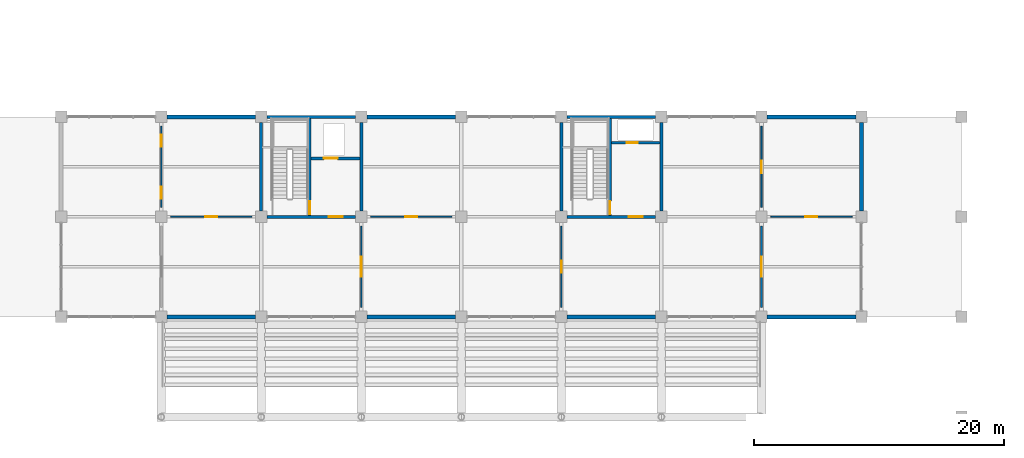
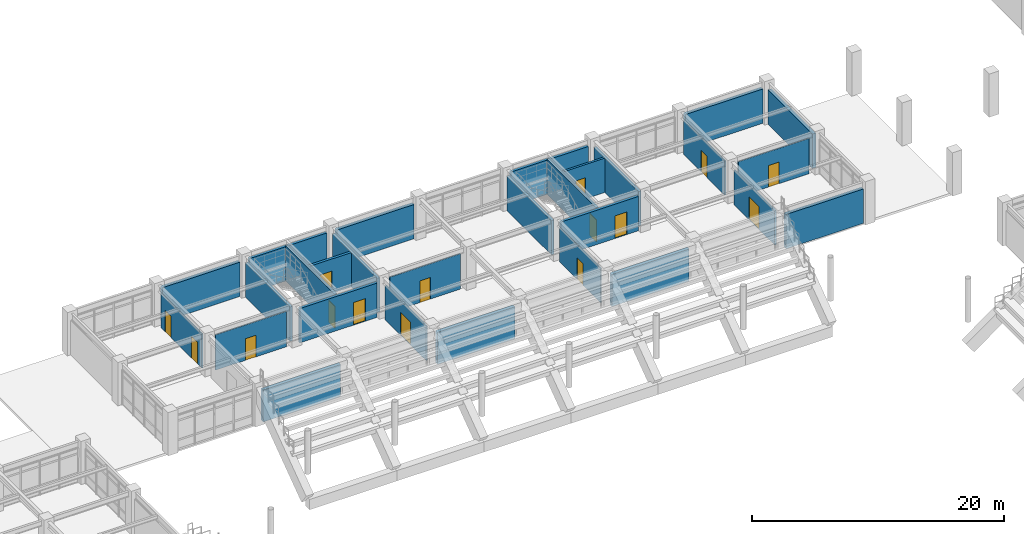
# One storey, part 95 of 118: 28 walls, 15 doors, 15 openings.
"""IFC4 building model written with IfcOpenShell, lengths in metres."""

import ifcopenshell
import ifcopenshell.guid

model = None  # the IFC model being written
_history = None  # IfcOwnerHistory: only IFC2X3 demands one
_inside = {}  # id of a spatial element -> (the spatial element, [elements in it])
_under = {}  # id of a project, library or spatial element -> (it, [spatial elements below it])
_declared = {}  # id of a project -> (the project, [libraries it declares])
_typed = {}  # id of a type object -> (the type object, [elements of that type])
_made_of = {}  # id of a material, layer set ... -> (it, [elements and type objects made of it])


def new_model(schema):
    """Start an empty IFC model of exactly this schema.

    Asked for "IFC4X3", IfcOpenShell would pick the latest addendum, in which some entities
    have other attributes; the version numbers below select the first issue.
    IFC2X3 requires an IfcOwnerHistory on every rooted entity: one is made here for all.
    """
    global model, _history
    if schema == "IFC4X3":
        model = ifcopenshell.file(schema_version=(4, 3, 0, 0))
    else:
        model = ifcopenshell.file(schema=schema)
    _inside.clear()
    _under.clear()
    _declared.clear()
    _typed.clear()
    _made_of.clear()
    _history = None
    if model.schema == "IFC2X3":
        org = make("IfcOrganization", Name="unknown")
        user = make(
            "IfcPersonAndOrganization",
            ThePerson=make("IfcPerson", FamilyName="unknown"),
            TheOrganization=org,
        )
        app = make(
            "IfcApplication",
            ApplicationDeveloper=org,
            Version="unknown",
            ApplicationFullName="unknown",
            ApplicationIdentifier="unknown",
        )
        _history = make(
            "IfcOwnerHistory",
            OwningUser=user,
            OwningApplication=app,
            ChangeAction="ADDED",
            CreationDate=0,
        )
    return model


def make(cls, **values):
    """One entity of the class cls with the attributes given. An attribute that is None is left unset."""
    return model.create_entity(
        cls, **{name: value for name, value in values.items() if value is not None}
    )


def rooted(cls, **values):
    """An entity with a GlobalId (a new one), such as an element, a storey or a relation."""
    return make(cls, GlobalId=ifcopenshell.guid.new(), OwnerHistory=_history, **values)


def si_unit(unit_type, name, prefix=None):
    """IfcSIUnit, for example si_unit("LENGTHUNIT", "METRE", prefix="MILLI")."""
    return make("IfcSIUnit", UnitType=unit_type, Prefix=prefix, Name=name)


def assignment(units):
    """IfcUnitAssignment: the units of a project."""
    return None if units is None else make("IfcUnitAssignment", Units=units)


def point(xyz):
    """IfcCartesianPoint."""
    return None if xyz is None else make("IfcCartesianPoint", Coordinates=xyz)


def direction(xyz):
    """IfcDirection."""
    return None if xyz is None else make("IfcDirection", DirectionRatios=xyz)


def frame(location, z_axis=None, x_axis=None):
    """IfcAxis2Placement3D, a coordinate frame: its origin and axes. An axis left out is left unset."""
    return make(
        "IfcAxis2Placement3D",
        Location=point(location),
        Axis=direction(z_axis),
        RefDirection=direction(x_axis),
    )


def frame_2d(location, x_axis=None):
    """IfcAxis2Placement2D, a coordinate frame in the plane: its origin and x axis."""
    return make(
        "IfcAxis2Placement2D", Location=point(location), RefDirection=direction(x_axis)
    )


def origin():
    """The frame at (0, 0, 0) with its axes left unset."""
    return frame((0.0, 0.0, 0.0))


def place(relative_to, where):
    """IfcLocalPlacement: puts the frame where relative to a parent placement (None: the world)."""
    return make(
        "IfcLocalPlacement", PlacementRelTo=relative_to, RelativePlacement=where
    )


def context(
    kind, dimensions, precision=None, world=None, true_north=None, identifier=None
):
    """IfcGeometricRepresentationContext, for example the 3D "Model" context."""
    return make(
        "IfcGeometricRepresentationContext",
        ContextIdentifier=identifier,
        ContextType=kind,
        CoordinateSpaceDimension=dimensions,
        Precision=precision,
        WorldCoordinateSystem=world,
        TrueNorth=true_north,
    )


def subcontext(parent, identifier, kind, view, scale=None):
    """IfcGeometricRepresentationSubContext, for example "Body" below "Model"."""
    return make(
        "IfcGeometricRepresentationSubContext",
        ContextIdentifier=identifier,
        ContextType=kind,
        ParentContext=parent,
        TargetScale=scale,
        TargetView=view,
    )


def project(units=None, contexts=None):
    """IfcProject with its units and contexts."""
    return rooted(
        "IfcProject",
        Name="project",
        RepresentationContexts=contexts,
        UnitsInContext=assignment(units),
    )


def spatial(cls, under=None, at=None, **own):
    """A site, building, storey or space (cls), placed at a placement, below another one or the project."""
    s = rooted(cls, ObjectPlacement=at, **own)
    if under is not None:
        _under.setdefault(under.id(), (under, []))[1].append(s)
    return s


def profile(cls, at=None, kind="AREA", **sizes):
    """A parametric profile (cls). Its sizes go by their IFC names, for example OverallWidth=200.0."""
    return make(cls, ProfileType=kind, Position=at, **sizes)


def rectangle(**sizes):
    """IfcRectangleProfileDef."""
    return profile("IfcRectangleProfileDef", **sizes)


def extrude(swept, where, along, depth):
    """IfcExtrudedAreaSolid: the profile swept, set in the frame where, extruded along a direction by depth."""
    return make(
        "IfcExtrudedAreaSolid",
        SweptArea=swept,
        Position=where,
        ExtrudedDirection=direction(along),
        Depth=depth,
    )


def shape(context_of_items, identifier, shape_type, items):
    """IfcShapeRepresentation: the items that make up one representation, for example the "Body"."""
    return make(
        "IfcShapeRepresentation",
        ContextOfItems=context_of_items,
        RepresentationIdentifier=identifier,
        RepresentationType=shape_type,
        Items=items,
    )


def material(Name=None, Category=None):
    """IfcMaterial."""
    return make("IfcMaterial", Name=Name, Category=Category)


def layer(
    of_material, thickness, ventilated=None, Name=None, Category=None, Priority=None
):
    """IfcMaterialLayer: one layer of a wall or slab, of a material (None: an air gap)."""
    return make(
        "IfcMaterialLayer",
        Material=of_material,
        LayerThickness=thickness,
        IsVentilated=ventilated,
        Name=Name,
        Category=Category,
        Priority=Priority,
    )


def layer_set(layers, Name=None):
    """IfcMaterialLayerSet."""
    return make("IfcMaterialLayerSet", MaterialLayers=layers, LayerSetName=Name)


def made_of(thing, what):
    """Note that an element or type object is made of a material, layer set ...; save() writes the relation."""
    if what is not None:
        _made_of.setdefault(what.id(), (what, []))[1].append(thing)
    return thing


def type_object(cls, material=None, **own):
    """A type object (cls), such as IfcWallType, which elements share."""
    return made_of(rooted(cls, **own), material)


def element(
    cls,
    number,
    at=None,
    inside=None,
    cuts=None,
    type_object=None,
    material=None,
    context=None,
    identifier="Body",
    shape_type=None,
    held_by="IfcProductDefinitionShape",
    body=None,
    shapes=None,
    **own,
):
    """One element of the class cls, such as IfcWall. Its Tag is "e" and its number.

    at: its placement. inside: the storey or other place that contains it. cuts: it is an
    opening in that element (IfcRelVoidsElement). A single representation is given by context,
    identifier, shape_type and body (its items); several are given by shapes. held_by: the class
    of the entity that holds the representations. save() writes the other relations.
    """
    e = rooted(cls, Tag="e%d" % number, ObjectPlacement=at, **own)
    if body is not None:
        shapes = [shape(context, identifier, shape_type, body)]
    if shapes is not None:
        e.Representation = make(held_by, Representations=shapes)
    if inside is not None:
        _inside.setdefault(inside.id(), (inside, []))[1].append(e)
    if cuts is not None:
        rooted(
            "IfcRelVoidsElement", RelatingBuildingElement=cuts, RelatedOpeningElement=e
        )
    if type_object is not None:
        _typed.setdefault(type_object.id(), (type_object, []))[1].append(e)
    return made_of(e, material)


def fill(opening, filler):
    """IfcRelFillsElement: the door or window that sits in an opening."""
    return rooted(
        "IfcRelFillsElement",
        RelatingOpeningElement=opening,
        RelatedBuildingElement=filler,
    )


def aggregate(whole, parts):
    """IfcRelAggregates: a whole, such as a stair, and the parts it consists of."""
    return rooted("IfcRelAggregates", RelatingObject=whole, RelatedObjects=parts)


def save(model, path):
    """Write the relations noted so far, then the file.

    IfcRelAggregates (storeys below a building ...), IfcRelContainedInSpatialStructure (elements
    in a storey), IfcRelDefinesByType, IfcRelAssociatesMaterial and IfcRelDeclares: one each for
    every whole, place, type object, material and project.
    """
    for whole, parts in _under.values():
        aggregate(whole, parts)
    for where, things in _inside.values():
        rooted(
            "IfcRelContainedInSpatialStructure",
            RelatedElements=things,
            RelatingStructure=where,
        )
    for kind, things in _typed.values():
        rooted("IfcRelDefinesByType", RelatedObjects=things, RelatingType=kind)
    for what, things in _made_of.values():
        rooted("IfcRelAssociatesMaterial", RelatedObjects=things, RelatingMaterial=what)
    for by, libraries in _declared.values():
        rooted("IfcRelDeclares", RelatingContext=by, RelatedDefinitions=libraries)
    model.write(path)


model = new_model("IFC4")

# Units and contexts
model_context = context("Model", 3, precision=1e-05, world=origin(), true_north=direction((0.0, 1.0)))
body_context = subcontext(model_context, "Body", "Model", "MODEL_VIEW")
ifc_project = project(units=[si_unit("LENGTHUNIT", "METRE"), si_unit("AREAUNIT", "SQUARE_METRE"), si_unit("VOLUMEUNIT", "CUBIC_METRE"), si_unit("PLANEANGLEUNIT", "RADIAN"), si_unit("MASSUNIT", "GRAM", prefix="KILO")], contexts=[model_context])

# Site, building, storey
site_placement = place(None, origin())
site = spatial("IfcSite", under=ifc_project, at=site_placement, CompositionType="ELEMENT")
building_placement = place(site_placement, origin())
building = spatial("IfcBuilding", under=site, at=building_placement, Name="Haebicheon Civic Stadium", CompositionType="ELEMENT")
storey_placement = place(building_placement, frame((0.0, 0.0, 14.39990234375)))
storey = spatial("IfcBuildingStorey", under=building, at=storey_placement, Name="L04", CompositionType="ELEMENT", Elevation=14.39990234375)

# Wall, opening, door
ifc_material_1 = material(Name="Concrete C40/50", Category="concrete")
ifc_layer_1 = layer(ifc_material_1, 0.239990234375, Name="Concrete C40/50")
ifc_layer_set_1 = layer_set([ifc_layer_1], Name="Concrete C40/50")
wall_type_1 = type_object("IfcWallType", Name="CW-SHR-240", PredefinedType="SHEAR", material=ifc_layer_set_1)
wall_1_placement = place(storey_placement, frame((88.449951171875, 160.0, 0.0), z_axis=(0.0, 0.0, 1.0), x_axis=(1.0, 0.0, 0.0)))
wall_1 = element("IfcWall", 1, at=wall_1_placement, inside=storey, type_object=wall_type_1, material=ifc_layer_set_1, Name="KC-08 L04 south core shear wall", PredefinedType="SHEAR", context=body_context, shape_type="SweptSolid", body=[
    extrude(rectangle(XDim=7.10009765625, YDim=0.239990234375, at=frame_2d((3.550048828125, 0.0))), origin(), (0.0, 0.0, 1.0), 3.330078125),
])
opening_1_placement = place(wall_1_placement, frame((4.949951171875, 0.0, 0.0)))
opening_1 = element("IfcOpeningElement", 2, at=opening_1_placement, cuts=wall_1, Name="Opening D-L04-KC-08-LOB", PredefinedType="OPENING", context=body_context, shape_type="SweptSolid", body=[
    extrude(rectangle(XDim=1.10009765625, YDim=2.199951171875, at=frame_2d((0.550048828125, 1.10009765625))), frame((0.0, 0.1298828125, 0.0), z_axis=(0.0, -1.0, 0.0), x_axis=(1.0, 0.0, 0.0)), (0.0, 0.0, 1.0), 0.260009765625),
])
ifc_material_2 = material(Name="Galvanised painted steel SM355", Category="steel")
door_type_1 = type_object("IfcDoorType", Name="ID-FD-1100", OperationType="NOTDEFINED", PredefinedType="DOOR", material=ifc_material_2)
door_1_placement = place(opening_1_placement, origin())
door_1 = element("IfcDoor", 3, at=door_1_placement, inside=storey, type_object=door_type_1, material=ifc_material_2, Name="L04 KC-08 lobby fire door", OperationType="SINGLE_SWING_LEFT", OverallHeight=2.199951171875, OverallWidth=1.10009765625, PredefinedType="DOOR", context=body_context, shape_type="SweptSolid", body=[
    extrude(rectangle(XDim=1.10009765625, YDim=2.199951171875, at=frame_2d((0.550048828125, 1.10009765625))), frame((0.0, 0.02490234375, 0.0), z_axis=(0.0, -1.0, 0.0), x_axis=(1.0, 0.0, 0.0)), (0.0, 0.0, 1.0), 0.050048828125),
])
fill(opening_1, door_1)

# Walls
for number, where, z_axis, x_axis, name in (
    (4, (88.449951171875, 168.0, 0.0), (0.0, 0.0, 1.0), (1.0, 0.0, 0.0), "KC-08 L04 north core shear wall"),
    (5, (88.0, 160.449951171875, 0.0), (0.0, 0.0, 1.0), (0.0, 1.0, 0.0), "KC-08 L04 west core shear wall"),
    (6, (96.0, 160.449951171875, 0.0), (0.0, 0.0, 1.0), (0.0, 1.0, 0.0), "KC-08 L04 east core shear wall"),
):
    element("IfcWall", number, at=place(storey_placement, frame(where, z_axis=z_axis, x_axis=x_axis)), inside=storey, type_object=wall_type_1, material=ifc_layer_set_1, Name=name, PredefinedType="SHEAR", context=body_context, shape_type="SweptSolid", body=[
        extrude(rectangle(XDim=7.10009765625, YDim=0.239990234375, at=frame_2d((3.550048828125, 0.0))), origin(), (0.0, 0.0, 1.0), 3.330078125),
    ])

# Wall, opening, door
wall_2_placement = place(storey_placement, frame((91.8798828125, 160.1201171875, 0.0), z_axis=(0.0, 0.0, 1.0), x_axis=(0.0, 1.0, 0.0)))
wall_2 = element("IfcWall", 7, at=wall_2_placement, inside=storey, type_object=wall_type_1, material=ifc_layer_set_1, Name="KC-08 L04 stair-lobby dividing shear wall", PredefinedType="SHEAR", context=body_context, shape_type="SweptSolid", body=[
    extrude(rectangle(XDim=7.759765625, YDim=0.239990234375, at=frame_2d((3.8798828125, 0.0))), origin(), (0.0, 0.0, 1.0), 3.43017578125),
])
opening_2_placement = place(wall_2_placement, frame((0.080078125, 0.0, 0.0)))
opening_2 = element("IfcOpeningElement", 8, at=opening_2_placement, cuts=wall_2, Name="Opening D-L04-KC-08-STR", PredefinedType="OPENING", context=body_context, shape_type="SweptSolid", body=[
    extrude(rectangle(XDim=1.050048828125, YDim=2.14990234375, at=frame_2d((0.52490234375, 1.074951171875))), frame((0.0, 0.1298828125, 0.0), z_axis=(0.0, -1.0, 0.0), x_axis=(1.0, 0.0, 0.0)), (0.0, 0.0, 1.0), 0.260009765625),
])
ifc_material_3 = material(Name="Galvanised painted steel SM355", Category="steel")
door_type_2 = type_object("IfcDoorType", Name="ID-FD-1050", OperationType="NOTDEFINED", PredefinedType="DOOR", material=ifc_material_3)
door_2_placement = place(opening_2_placement, origin())
door_2 = element("IfcDoor", 9, at=door_2_placement, inside=storey, type_object=door_type_2, material=ifc_material_3, Name="L04 ST-08 stairwell escape door", OperationType="SINGLE_SWING_RIGHT", OverallHeight=2.14990234375, OverallWidth=1.050048828125, PredefinedType="DOOR", context=body_context, shape_type="SweptSolid", body=[
    extrude(rectangle(XDim=1.050048828125, YDim=2.14990234375, at=frame_2d((0.52490234375, 1.074951171875))), frame((0.0, 0.02490234375, 0.0), z_axis=(0.0, -1.0, 0.0), x_axis=(1.0, 0.0, 0.0)), (0.0, 0.0, 1.0), 0.050048828125),
])
fill(opening_2, door_2)

wall_3_placement = place(storey_placement, frame((92.0, 164.679931640625, 0.0), z_axis=(0.0, 0.0, 1.0), x_axis=(1.0, 0.0, 0.0)))
wall_3 = element("IfcWall", 10, at=wall_3_placement, inside=storey, type_object=wall_type_1, material=ifc_layer_set_1, Name="KC-08 L04 lift shaft front wall", PredefinedType="SHEAR", context=body_context, shape_type="SweptSolid", body=[
    extrude(rectangle(XDim=3.8798828125, YDim=0.239990234375, at=frame_2d((1.93994140625, 0.0))), origin(), (0.0, 0.0, 1.0), 3.330078125),
])
opening_3_placement = place(wall_3_placement, frame((1.0, 0.0, 0.0)))
opening_3 = element("IfcOpeningElement", 11, at=opening_3_placement, cuts=wall_3, Name="Opening LD-06-L04", PredefinedType="OPENING", context=body_context, shape_type="SweptSolid", body=[
    extrude(rectangle(XDim=1.10009765625, YDim=2.14990234375, at=frame_2d((0.550048828125, 1.074951171875))), frame((0.0, 0.1298828125, 0.0), z_axis=(0.0, -1.0, 0.0), x_axis=(1.0, 0.0, 0.0)), (0.0, 0.0, 1.0), 0.260009765625),
])
ifc_material_4 = material(Name="Stainless steel 316", Category="steel")
door_type_3 = type_object("IfcDoorType", Name="ID-LD-1100", OperationType="NOTDEFINED", PredefinedType="DOOR", material=ifc_material_4)
door_3_placement = place(opening_3_placement, origin())
door_3 = element("IfcDoor", 12, at=door_3_placement, inside=storey, type_object=door_type_3, material=ifc_material_4, Name="LF-06 lift landing sliding door L04", OperationType="SLIDING_TO_LEFT", OverallHeight=2.14990234375, OverallWidth=1.10009765625, PredefinedType="DOOR", context=body_context, shape_type="SweptSolid", body=[
    extrude(rectangle(XDim=1.10009765625, YDim=2.14990234375, at=frame_2d((0.550048828125, 1.074951171875))), frame((0.0, 0.02490234375, 0.0), z_axis=(0.0, -1.0, 0.0), x_axis=(1.0, 0.0, 0.0)), (0.0, 0.0, 1.0), 0.050048828125),
])
fill(opening_3, door_3)

wall_4_placement = place(storey_placement, frame((112.449951171875, 160.0, 0.0), z_axis=(0.0, 0.0, 1.0), x_axis=(1.0, 0.0, 0.0)))
wall_4 = element("IfcWall", 13, at=wall_4_placement, inside=storey, type_object=wall_type_1, material=ifc_layer_set_1, Name="KC-09 L04 south core shear wall", PredefinedType="SHEAR", context=body_context, shape_type="SweptSolid", body=[
    extrude(rectangle(XDim=7.10009765625, YDim=0.239990234375, at=frame_2d((3.550048828125, 0.0))), origin(), (0.0, 0.0, 1.0), 3.330078125),
])
opening_4_placement = place(wall_4_placement, frame((4.949951171875, 0.0, 0.0)))
opening_4 = element("IfcOpeningElement", 14, at=opening_4_placement, cuts=wall_4, Name="Opening D-L04-KC-09-LOB", PredefinedType="OPENING", context=body_context, shape_type="SweptSolid", body=[
    extrude(rectangle(XDim=1.10009765625, YDim=2.199951171875, at=frame_2d((0.550048828125, 1.10009765625))), frame((0.0, 0.1298828125, 0.0), z_axis=(0.0, -1.0, 0.0), x_axis=(1.0, 0.0, 0.0)), (0.0, 0.0, 1.0), 0.260009765625),
])
door_4_placement = place(opening_4_placement, origin())
door_4 = element("IfcDoor", 15, at=door_4_placement, inside=storey, type_object=door_type_1, material=ifc_material_2, Name="L04 KC-09 lobby fire door", OperationType="SINGLE_SWING_RIGHT", OverallHeight=2.199951171875, OverallWidth=1.10009765625, PredefinedType="DOOR", context=body_context, shape_type="SweptSolid", body=[
    extrude(rectangle(XDim=1.10009765625, YDim=2.199951171875, at=frame_2d((0.550048828125, 1.10009765625))), frame((0.0, 0.02490234375, 0.0), z_axis=(0.0, -1.0, 0.0), x_axis=(1.0, 0.0, 0.0)), (0.0, 0.0, 1.0), 0.050048828125),
])
fill(opening_4, door_4)

# Walls
for number, where, z_axis, x_axis, name in (
    (16, (112.449951171875, 168.0, 0.0), (0.0, 0.0, 1.0), (1.0, 0.0, 0.0), "KC-09 L04 north core shear wall"),
    (17, (112.0, 160.449951171875, 0.0), (0.0, 0.0, 1.0), (0.0, 1.0, 0.0), "KC-09 L04 west core shear wall"),
    (18, (120.0, 160.449951171875, 0.0), (0.0, 0.0, 1.0), (0.0, 1.0, 0.0), "KC-09 L04 east core shear wall"),
):
    element("IfcWall", number, at=place(storey_placement, frame(where, z_axis=z_axis, x_axis=x_axis)), inside=storey, type_object=wall_type_1, material=ifc_layer_set_1, Name=name, PredefinedType="SHEAR", context=body_context, shape_type="SweptSolid", body=[
        extrude(rectangle(XDim=7.10009765625, YDim=0.239990234375, at=frame_2d((3.550048828125, 0.0))), origin(), (0.0, 0.0, 1.0), 3.330078125),
    ])

# Wall, opening, door
wall_5_placement = place(storey_placement, frame((115.8798828125, 160.1201171875, 0.0), z_axis=(0.0, 0.0, 1.0), x_axis=(0.0, 1.0, 0.0)))
wall_5 = element("IfcWall", 19, at=wall_5_placement, inside=storey, type_object=wall_type_1, material=ifc_layer_set_1, Name="KC-09 L04 stair-lobby dividing shear wall", PredefinedType="SHEAR", context=body_context, shape_type="SweptSolid", body=[
    extrude(rectangle(XDim=7.759765625, YDim=0.239990234375, at=frame_2d((3.8798828125, 0.0))), origin(), (0.0, 0.0, 1.0), 3.43017578125),
])
opening_5_placement = place(wall_5_placement, frame((0.080078125, 0.0, 0.0)))
opening_5 = element("IfcOpeningElement", 20, at=opening_5_placement, cuts=wall_5, Name="Opening D-L04-KC-09-STR", PredefinedType="OPENING", context=body_context, shape_type="SweptSolid", body=[
    extrude(rectangle(XDim=1.050048828125, YDim=2.14990234375, at=frame_2d((0.52490234375, 1.074951171875))), frame((0.0, 0.1298828125, 0.0), z_axis=(0.0, -1.0, 0.0), x_axis=(1.0, 0.0, 0.0)), (0.0, 0.0, 1.0), 0.260009765625),
])
door_5_placement = place(opening_5_placement, origin())
door_5 = element("IfcDoor", 21, at=door_5_placement, inside=storey, type_object=door_type_2, material=ifc_material_3, Name="L04 ST-09 stairwell escape door", OperationType="SINGLE_SWING_LEFT", OverallHeight=2.14990234375, OverallWidth=1.050048828125, PredefinedType="DOOR", context=body_context, shape_type="SweptSolid", body=[
    extrude(rectangle(XDim=1.050048828125, YDim=2.14990234375, at=frame_2d((0.52490234375, 1.074951171875))), frame((0.0, 0.02490234375, 0.0), z_axis=(0.0, -1.0, 0.0), x_axis=(1.0, 0.0, 0.0)), (0.0, 0.0, 1.0), 0.050048828125),
])
fill(opening_5, door_5)

# Walls
ifc_material_5 = material(Name="Precast concrete C40/50", Category="concrete")
ifc_layer_2 = layer(ifc_material_5, 0.320068359375, Name="Precast concrete C40/50")
ifc_layer_set_2 = layer_set([ifc_layer_2], Name="Precast concrete C40/50")
wall_type_2 = type_object("IfcWallType", Name="EW-BM-320", PredefinedType="SOLIDWALL", material=ifc_layer_set_2)
wall_6_placement = place(storey_placement, frame((80.449951171875, 152.0, 0.0), z_axis=(0.0, 0.0, 1.0), x_axis=(1.0, 0.0, 0.0)))
element("IfcWall", 22, at=wall_6_placement, inside=storey, type_object=wall_type_2, material=ifc_layer_set_2, Name="L04 board-marked concrete facade wall 10-19-S", PredefinedType="SOLIDWALL", context=body_context, shape_type="SweptSolid", body=[
    extrude(rectangle(XDim=7.10009765625, YDim=0.320068359375, at=frame_2d((3.550048828125, 0.0))), origin(), (0.0, 0.0, 1.0), 3.10009765625),
])
wall_7_placement = place(storey_placement, frame((80.449951171875, 168.0, 0.0), z_axis=(0.0, 0.0, 1.0), x_axis=(1.0, 0.0, 0.0)))
element("IfcWall", 23, at=wall_7_placement, inside=storey, type_object=wall_type_2, material=ifc_layer_set_2, Name="L04 board-marked concrete facade wall 10-21-N", PredefinedType="SOLIDWALL", context=body_context, shape_type="SweptSolid", body=[
    extrude(rectangle(XDim=7.10009765625, YDim=0.320068359375, at=frame_2d((3.550048828125, 0.0))), origin(), (0.0, 0.0, 1.0), 3.330078125),
])
wall_8_placement = place(storey_placement, frame((96.449951171875, 152.0, 0.0), z_axis=(0.0, 0.0, 1.0), x_axis=(1.0, 0.0, 0.0)))
element("IfcWall", 24, at=wall_8_placement, inside=storey, type_object=wall_type_2, material=ifc_layer_set_2, Name="L04 board-marked concrete facade wall 12-19-S", PredefinedType="SOLIDWALL", context=body_context, shape_type="SweptSolid", body=[
    extrude(rectangle(XDim=7.10009765625, YDim=0.320068359375, at=frame_2d((3.550048828125, 0.0))), origin(), (0.0, 0.0, 1.0), 3.10009765625),
])
wall_9_placement = place(storey_placement, frame((96.449951171875, 168.0, 0.0), z_axis=(0.0, 0.0, 1.0), x_axis=(1.0, 0.0, 0.0)))
element("IfcWall", 25, at=wall_9_placement, inside=storey, type_object=wall_type_2, material=ifc_layer_set_2, Name="L04 board-marked concrete facade wall 12-21-N", PredefinedType="SOLIDWALL", context=body_context, shape_type="SweptSolid", body=[
    extrude(rectangle(XDim=7.10009765625, YDim=0.320068359375, at=frame_2d((3.550048828125, 0.0))), origin(), (0.0, 0.0, 1.0), 3.330078125),
])
wall_10_placement = place(storey_placement, frame((112.449951171875, 152.0, 0.0), z_axis=(0.0, 0.0, 1.0), x_axis=(1.0, 0.0, 0.0)))
element("IfcWall", 26, at=wall_10_placement, inside=storey, type_object=wall_type_2, material=ifc_layer_set_2, Name="L04 board-marked concrete facade wall 14-19-S", PredefinedType="SOLIDWALL", context=body_context, shape_type="SweptSolid", body=[
    extrude(rectangle(XDim=7.10009765625, YDim=0.320068359375, at=frame_2d((3.550048828125, 0.0))), origin(), (0.0, 0.0, 1.0), 3.10009765625),
])
for number, where, z_axis, x_axis, name in (
    (27, (128.449951171875, 152.0, 0.0), (0.0, 0.0, 1.0), (1.0, 0.0, 0.0), "L04 board-marked concrete facade wall 16-19-S"),
    (28, (128.449951171875, 168.0, 0.0), (0.0, 0.0, 1.0), (1.0, 0.0, 0.0), "L04 board-marked concrete facade wall 16-21-N"),
    (29, (136.0, 160.449951171875, 0.0), (0.0, 0.0, 1.0), (0.0, 1.0, 0.0), "L04 board-marked concrete facade wall 17-20-E"),
):
    element("IfcWall", number, at=place(storey_placement, frame(where, z_axis=z_axis, x_axis=x_axis)), inside=storey, type_object=wall_type_2, material=ifc_layer_set_2, Name=name, PredefinedType="SOLIDWALL", context=body_context, shape_type="SweptSolid", body=[
        extrude(rectangle(XDim=7.10009765625, YDim=0.320068359375, at=frame_2d((3.550048828125, 0.0))), origin(), (0.0, 0.0, 1.0), 3.330078125),
    ])

# Wall, opening, door
ifc_material_6 = material(Name="Concrete C35/45", Category="concrete")
ifc_layer_3 = layer(ifc_material_6, 0.199951171875, Name="Concrete C35/45")
ifc_layer_set_3 = layer_set([ifc_layer_3], Name="Concrete C35/45")
wall_type_3 = type_object("IfcWallType", Name="IW-FIR-200", PredefinedType="PARTITIONING", material=ifc_layer_set_3)
wall_11_placement = place(storey_placement, frame((116.0, 165.919921875, 0.0), z_axis=(0.0, 0.0, 1.0), x_axis=(1.0, 0.0, 0.0)))
wall_11 = element("IfcWall", 30, at=wall_11_placement, inside=storey, type_object=wall_type_3, material=ifc_layer_set_3, Name="KC-09 L04 service riser wall", PredefinedType="PARTITIONING", context=body_context, shape_type="SweptSolid", body=[
    extrude(rectangle(XDim=3.8798828125, YDim=0.199951171875, at=frame_2d((1.93994140625, 0.0))), origin(), (0.0, 0.0, 1.0), 3.330078125),
])
opening_6_placement = place(wall_11_placement, frame((1.25, 0.0, 0.0)))
opening_6 = element("IfcOpeningElement", 31, at=opening_6_placement, cuts=wall_11, Name="Opening D-L04-KC-09-RSR", PredefinedType="OPENING", context=body_context, shape_type="SweptSolid", body=[
    extrude(rectangle(XDim=0.85009765625, YDim=2.050048828125, at=frame_2d((0.425048828125, 1.02490234375))), frame((0.0, 0.10986328125, 0.0), z_axis=(0.0, -1.0, 0.0), x_axis=(1.0, 0.0, 0.0)), (0.0, 0.0, 1.0), 0.219970703125),
])
ifc_material_7 = material(Name="Galvanised painted steel SM355", Category="steel")
door_type_4 = type_object("IfcDoorType", Name="ID-RSR-0850", OperationType="NOTDEFINED", PredefinedType="TRAPDOOR", material=ifc_material_7)
door_6_placement = place(opening_6_placement, origin())
door_6 = element("IfcDoor", 32, at=door_6_placement, inside=storey, type_object=door_type_4, material=ifc_material_7, Name="L04 KC-09 riser access door", OperationType="SINGLE_SWING_RIGHT", OverallHeight=2.050048828125, OverallWidth=0.85009765625, PredefinedType="TRAPDOOR", context=body_context, shape_type="SweptSolid", body=[
    extrude(rectangle(XDim=0.85009765625, YDim=2.050048828125, at=frame_2d((0.425048828125, 1.02490234375))), frame((0.0, 0.02490234375, 0.0), z_axis=(0.0, -1.0, 0.0), x_axis=(1.0, 0.0, 0.0)), (0.0, 0.0, 1.0), 0.050048828125),
])
fill(opening_6, door_6)

# Wall, openings, doors
ifc_material_8 = material(Name="Anodised aluminium and laminated glass", Category="aluminium")
ifc_layer_4 = layer(ifc_material_8, 0.10009765625, Name="Anodised aluminium and laminated glass")
ifc_layer_set_4 = layer_set([ifc_layer_4], Name="Anodised aluminium and laminated glass")
wall_type_4 = type_object("IfcWallType", Name="IW-PRT-100", PredefinedType="PARTITIONING", material=ifc_layer_set_4)
wall_12_placement = place(storey_placement, frame((80.0, 160.75, 0.0), z_axis=(0.0, 0.0, 1.0), x_axis=(0.0, 1.0, 0.0)))
wall_12 = element("IfcWall", 33, at=wall_12_placement, inside=storey, type_object=wall_type_4, material=ifc_layer_set_4, Name="L04 Hospitality Service Pantry partition wall", PredefinedType="PARTITIONING", context=body_context, shape_type="SweptSolid", body=[
    extrude(rectangle(XDim=6.5, YDim=0.10009765625, at=frame_2d((3.25, 0.0))), origin(), (0.0, 0.0, 1.0), 3.330078125),
])
opening_7_placement = place(wall_12_placement, frame((0.699951171875, 0.0, 0.0)))
opening_7 = element("IfcOpeningElement", 34, at=opening_7_placement, cuts=wall_12, Name="Opening D-L04-377", PredefinedType="OPENING", context=body_context, shape_type="SweptSolid", body=[
    extrude(rectangle(XDim=0.949951171875, YDim=2.10009765625, at=frame_2d((0.47509765625, 1.050048828125))), frame((0.0, 0.06005859375, 0.0), z_axis=(0.0, -1.0, 0.0), x_axis=(1.0, 0.0, 0.0)), (0.0, 0.0, 1.0), 0.1201171875),
])
opening_8_placement = place(wall_12_placement, frame((4.85009765625, 0.0, 0.0)))
opening_8 = element("IfcOpeningElement", 35, at=opening_8_placement, cuts=wall_12, Name="Opening D-L04-380", PredefinedType="OPENING", context=body_context, shape_type="SweptSolid", body=[
    extrude(rectangle(XDim=0.949951171875, YDim=2.10009765625, at=frame_2d((0.47509765625, 1.050048828125))), frame((0.0, 0.06005859375, 0.0), z_axis=(0.0, -1.0, 0.0), x_axis=(1.0, 0.0, 0.0)), (0.0, 0.0, 1.0), 0.1201171875),
])
ifc_material_9 = material(Name="Engineered hardwood timber", Category="wood")
door_type_5 = type_object("IfcDoorType", Name="ID-RM-0950", OperationType="NOTDEFINED", PredefinedType="DOOR", material=ifc_material_9)
door_7_placement = place(opening_7_placement, origin())
door_7 = element("IfcDoor", 36, at=door_7_placement, inside=storey, type_object=door_type_5, material=ifc_material_9, Name="L04 Hospitality Service Pantry entrance door D-L04-377", OperationType="SINGLE_SWING_LEFT", OverallHeight=2.10009765625, OverallWidth=0.949951171875, PredefinedType="DOOR", context=body_context, shape_type="SweptSolid", body=[
    extrude(rectangle(XDim=0.949951171875, YDim=2.10009765625, at=frame_2d((0.47509765625, 1.050048828125))), frame((0.0, 0.02490234375, 0.0), z_axis=(0.0, -1.0, 0.0), x_axis=(1.0, 0.0, 0.0)), (0.0, 0.0, 1.0), 0.050048828125),
])
fill(opening_7, door_7)
door_8_placement = place(opening_8_placement, origin())
door_8 = element("IfcDoor", 37, at=door_8_placement, inside=storey, type_object=door_type_5, material=ifc_material_9, Name="L04 Hospitality Service Pantry entrance door D-L04-380", OperationType="SINGLE_SWING_RIGHT", OverallHeight=2.10009765625, OverallWidth=0.949951171875, PredefinedType="DOOR", context=body_context, shape_type="SweptSolid", body=[
    extrude(rectangle(XDim=0.949951171875, YDim=2.10009765625, at=frame_2d((0.47509765625, 1.050048828125))), frame((0.0, 0.02490234375, 0.0), z_axis=(0.0, -1.0, 0.0), x_axis=(1.0, 0.0, 0.0)), (0.0, 0.0, 1.0), 0.050048828125),
])
fill(opening_8, door_8)

# Wall, opening, door
wall_13_placement = place(storey_placement, frame((80.75, 160.0, 0.0), z_axis=(0.0, 0.0, 1.0), x_axis=(1.0, 0.0, 0.0)))
wall_13 = element("IfcWall", 38, at=wall_13_placement, inside=storey, type_object=wall_type_4, material=ifc_layer_set_4, Name="L04 East Pitch View Lounge partition wall", PredefinedType="PARTITIONING", context=body_context, shape_type="SweptSolid", body=[
    extrude(rectangle(XDim=6.5, YDim=0.10009765625, at=frame_2d((3.25, 0.0))), origin(), (0.0, 0.0, 1.0), 3.43017578125),
])
opening_9_placement = place(wall_13_placement, frame((2.77490234375, 0.0, 0.0)))
opening_9 = element("IfcOpeningElement", 39, at=opening_9_placement, cuts=wall_13, Name="Opening D-L04-379", PredefinedType="OPENING", context=body_context, shape_type="SweptSolid", body=[
    extrude(rectangle(XDim=0.949951171875, YDim=2.10009765625, at=frame_2d((0.47509765625, 1.050048828125))), frame((0.0, 0.06005859375, 0.0), z_axis=(0.0, -1.0, 0.0), x_axis=(1.0, 0.0, 0.0)), (0.0, 0.0, 1.0), 0.1201171875),
])
door_9_placement = place(opening_9_placement, origin())
door_9 = element("IfcDoor", 40, at=door_9_placement, inside=storey, type_object=door_type_5, material=ifc_material_9, Name="L04 East Pitch View Lounge entrance door D-L04-379", OperationType="SINGLE_SWING_LEFT", OverallHeight=2.10009765625, OverallWidth=0.949951171875, PredefinedType="DOOR", context=body_context, shape_type="SweptSolid", body=[
    extrude(rectangle(XDim=0.949951171875, YDim=2.10009765625, at=frame_2d((0.47509765625, 1.050048828125))), frame((0.0, 0.02490234375, 0.0), z_axis=(0.0, -1.0, 0.0), x_axis=(1.0, 0.0, 0.0)), (0.0, 0.0, 1.0), 0.050048828125),
])
fill(opening_9, door_9)

wall_14_placement = place(storey_placement, frame((96.75, 160.0, 0.0), z_axis=(0.0, 0.0, 1.0), x_axis=(1.0, 0.0, 0.0)))
wall_14 = element("IfcWall", 41, at=wall_14_placement, inside=storey, type_object=wall_type_4, material=ifc_layer_set_4, Name="L04 Hospitality Service Pantry partition wall", PredefinedType="PARTITIONING", context=body_context, shape_type="SweptSolid", body=[
    extrude(rectangle(XDim=6.5, YDim=0.10009765625, at=frame_2d((3.25, 0.0))), origin(), (0.0, 0.0, 1.0), 3.43017578125),
])
opening_10_placement = place(wall_14_placement, frame((2.77490234375, 0.0, 0.0)))
opening_10 = element("IfcOpeningElement", 42, at=opening_10_placement, cuts=wall_14, Name="Opening D-L04-383", PredefinedType="OPENING", context=body_context, shape_type="SweptSolid", body=[
    extrude(rectangle(XDim=0.949951171875, YDim=2.10009765625, at=frame_2d((0.47509765625, 1.050048828125))), frame((0.0, 0.06005859375, 0.0), z_axis=(0.0, -1.0, 0.0), x_axis=(1.0, 0.0, 0.0)), (0.0, 0.0, 1.0), 0.1201171875),
])
door_10_placement = place(opening_10_placement, origin())
door_10 = element("IfcDoor", 43, at=door_10_placement, inside=storey, type_object=door_type_5, material=ifc_material_9, Name="L04 Hospitality Service Pantry entrance door D-L04-383", OperationType="SINGLE_SWING_RIGHT", OverallHeight=2.10009765625, OverallWidth=0.949951171875, PredefinedType="DOOR", context=body_context, shape_type="SweptSolid", body=[
    extrude(rectangle(XDim=0.949951171875, YDim=2.10009765625, at=frame_2d((0.47509765625, 1.050048828125))), frame((0.0, 0.02490234375, 0.0), z_axis=(0.0, -1.0, 0.0), x_axis=(1.0, 0.0, 0.0)), (0.0, 0.0, 1.0), 0.050048828125),
])
fill(opening_10, door_10)

wall_15_placement = place(storey_placement, frame((112.0, 152.75, 0.0), z_axis=(0.0, 0.0, 1.0), x_axis=(0.0, 1.0, 0.0)))
wall_15 = element("IfcWall", 44, at=wall_15_placement, inside=storey, type_object=wall_type_4, material=ifc_layer_set_4, Name="L04 East Pitch View Lounge partition wall", PredefinedType="PARTITIONING", context=body_context, shape_type="SweptSolid", body=[
    extrude(rectangle(XDim=6.5, YDim=0.10009765625, at=frame_2d((3.25, 0.0))), origin(), (0.0, 0.0, 1.0), 3.330078125),
])
opening_11_placement = place(wall_15_placement, frame((2.77490234375, 0.0, 0.0)))
opening_11 = element("IfcOpeningElement", 45, at=opening_11_placement, cuts=wall_15, Name="Opening D-L04-385", PredefinedType="OPENING", context=body_context, shape_type="SweptSolid", body=[
    extrude(rectangle(XDim=0.949951171875, YDim=2.10009765625, at=frame_2d((0.47509765625, 1.050048828125))), frame((0.0, 0.06005859375, 0.0), z_axis=(0.0, -1.0, 0.0), x_axis=(1.0, 0.0, 0.0)), (0.0, 0.0, 1.0), 0.1201171875),
])
door_11_placement = place(opening_11_placement, origin())
door_11 = element("IfcDoor", 46, at=door_11_placement, inside=storey, type_object=door_type_5, material=ifc_material_9, Name="L04 East Pitch View Lounge entrance door D-L04-385", OperationType="SINGLE_SWING_RIGHT", OverallHeight=2.10009765625, OverallWidth=0.949951171875, PredefinedType="DOOR", context=body_context, shape_type="SweptSolid", body=[
    extrude(rectangle(XDim=0.949951171875, YDim=2.10009765625, at=frame_2d((0.47509765625, 1.050048828125))), frame((0.0, 0.02490234375, 0.0), z_axis=(0.0, -1.0, 0.0), x_axis=(1.0, 0.0, 0.0)), (0.0, 0.0, 1.0), 0.050048828125),
])
fill(opening_11, door_11)

wall_16_placement = place(storey_placement, frame((128.75, 160.0, 0.0), z_axis=(0.0, 0.0, 1.0), x_axis=(1.0, 0.0, 0.0)))
wall_16 = element("IfcWall", 47, at=wall_16_placement, inside=storey, type_object=wall_type_4, material=ifc_layer_set_4, Name="L04 Hospitality Service Pantry partition wall", PredefinedType="PARTITIONING", context=body_context, shape_type="SweptSolid", body=[
    extrude(rectangle(XDim=6.5, YDim=0.10009765625, at=frame_2d((3.25, 0.0))), origin(), (0.0, 0.0, 1.0), 3.43017578125),
])
opening_12_placement = place(wall_16_placement, frame((2.77490234375, 0.0, 0.0)))
opening_12 = element("IfcOpeningElement", 48, at=opening_12_placement, cuts=wall_16, Name="Opening D-L04-389", PredefinedType="OPENING", context=body_context, shape_type="SweptSolid", body=[
    extrude(rectangle(XDim=0.949951171875, YDim=2.10009765625, at=frame_2d((0.47509765625, 1.050048828125))), frame((0.0, 0.06005859375, 0.0), z_axis=(0.0, -1.0, 0.0), x_axis=(1.0, 0.0, 0.0)), (0.0, 0.0, 1.0), 0.1201171875),
])
door_12_placement = place(opening_12_placement, origin())
door_12 = element("IfcDoor", 49, at=door_12_placement, inside=storey, type_object=door_type_5, material=ifc_material_9, Name="L04 Hospitality Service Pantry entrance door D-L04-389", OperationType="SINGLE_SWING_LEFT", OverallHeight=2.10009765625, OverallWidth=0.949951171875, PredefinedType="DOOR", context=body_context, shape_type="SweptSolid", body=[
    extrude(rectangle(XDim=0.949951171875, YDim=2.10009765625, at=frame_2d((0.47509765625, 1.050048828125))), frame((0.0, 0.02490234375, 0.0), z_axis=(0.0, -1.0, 0.0), x_axis=(1.0, 0.0, 0.0)), (0.0, 0.0, 1.0), 0.050048828125),
])
fill(opening_12, door_12)

ifc_material_10 = material(Name="Gypsum plasterboard on steel studs", Category="gypsum")
ifc_layer_5 = layer(ifc_material_10, 0.1201171875, Name="Gypsum plasterboard on steel studs")
ifc_layer_set_5 = layer_set([ifc_layer_5], Name="Gypsum plasterboard on steel studs")
wall_type_5 = type_object("IfcWallType", Name="IW-PRT-120", PredefinedType="PARTITIONING", material=ifc_layer_set_5)
wall_17_placement = place(storey_placement, frame((128.0, 160.75, 0.0), z_axis=(0.0, 0.0, 1.0), x_axis=(0.0, 1.0, 0.0)))
wall_17 = element("IfcWall", 50, at=wall_17_placement, inside=storey, type_object=wall_type_5, material=ifc_layer_set_5, Name="L04 Hospitality Service Pantry partition wall", PredefinedType="PARTITIONING", context=body_context, shape_type="SweptSolid", body=[
    extrude(rectangle(XDim=6.5, YDim=0.1201171875, at=frame_2d((3.25, 0.0))), origin(), (0.0, 0.0, 1.0), 3.330078125),
])
opening_13_placement = place(wall_17_placement, frame((2.75, 0.0, 0.0)))
opening_13 = element("IfcOpeningElement", 51, at=opening_13_placement, cuts=wall_17, Name="Opening D-L04-386", PredefinedType="OPENING", context=body_context, shape_type="SweptSolid", body=[
    extrude(rectangle(XDim=1.0, YDim=2.10009765625, at=frame_2d((0.5, 1.050048828125))), frame((0.0, 0.070068359375, 0.0), z_axis=(0.0, -1.0, 0.0), x_axis=(1.0, 0.0, 0.0)), (0.0, 0.0, 1.0), 0.14013671875),
])
ifc_material_11 = material(Name="Engineered hardwood timber", Category="wood")
door_type_6 = type_object("IfcDoorType", Name="ID-RM-1000", OperationType="NOTDEFINED", PredefinedType="DOOR", material=ifc_material_11)
door_13_placement = place(opening_13_placement, origin())
door_13 = element("IfcDoor", 52, at=door_13_placement, inside=storey, type_object=door_type_6, material=ifc_material_11, Name="L04 Hospitality Service Pantry entrance door D-L04-386", OperationType="SINGLE_SWING_LEFT", OverallHeight=2.10009765625, OverallWidth=1.0, PredefinedType="DOOR", context=body_context, shape_type="SweptSolid", body=[
    extrude(rectangle(XDim=1.0, YDim=2.10009765625, at=frame_2d((0.5, 1.050048828125))), frame((0.0, 0.02490234375, 0.0), z_axis=(0.0, -1.0, 0.0), x_axis=(1.0, 0.0, 0.0)), (0.0, 0.0, 1.0), 0.050048828125),
])
fill(opening_13, door_13)

ifc_material_12 = material(Name="Gypsum plasterboard on steel studs", Category="gypsum")
ifc_layer_6 = layer(ifc_material_12, 0.14990234375, Name="Gypsum plasterboard on steel studs")
ifc_layer_set_6 = layer_set([ifc_layer_6], Name="Gypsum plasterboard on steel studs")
wall_type_6 = type_object("IfcWallType", Name="IW-PRT-150", PredefinedType="PARTITIONING", material=ifc_layer_set_6)
wall_18_placement = place(storey_placement, frame((96.0, 152.75, 0.0), z_axis=(0.0, 0.0, 1.0), x_axis=(0.0, 1.0, 0.0)))
wall_18 = element("IfcWall", 53, at=wall_18_placement, inside=storey, type_object=wall_type_6, material=ifc_layer_set_6, Name="L04 East Pitch View Lounge partition wall", PredefinedType="PARTITIONING", context=body_context, shape_type="SweptSolid", body=[
    extrude(rectangle(XDim=6.5, YDim=0.14990234375, at=frame_2d((3.25, 0.0))), origin(), (0.0, 0.0, 1.0), 3.330078125),
])
opening_14_placement = place(wall_18_placement, frame((2.449951171875, 0.0, 0.0)))
opening_14 = element("IfcOpeningElement", 54, at=opening_14_placement, cuts=wall_18, Name="Opening D-L04-382", PredefinedType="OPENING", context=body_context, shape_type="SweptSolid", body=[
    extrude(rectangle(XDim=1.60009765625, YDim=2.199951171875, at=frame_2d((0.800048828125, 1.10009765625))), frame((0.0, 0.0849609375, 0.0), z_axis=(0.0, -1.0, 0.0), x_axis=(1.0, 0.0, 0.0)), (0.0, 0.0, 1.0), 0.169921875),
])
ifc_material_13 = material(Name="Anodised aluminium and laminated glass", Category="aluminium")
door_type_7 = type_object("IfcDoorType", Name="ID-DBL-1600", OperationType="NOTDEFINED", PredefinedType="DOOR", material=ifc_material_13)
door_14_placement = place(opening_14_placement, origin())
door_14 = element("IfcDoor", 55, at=door_14_placement, inside=storey, type_object=door_type_7, material=ifc_material_13, Name="L04 East Pitch View Lounge entrance door D-L04-382", OperationType="DOUBLE_SWING_LEFT", OverallHeight=2.199951171875, OverallWidth=1.60009765625, PredefinedType="DOOR", context=body_context, shape_type="SweptSolid", body=[
    extrude(rectangle(XDim=1.60009765625, YDim=2.199951171875, at=frame_2d((0.800048828125, 1.10009765625))), frame((0.0, 0.02490234375, 0.0), z_axis=(0.0, -1.0, 0.0), x_axis=(1.0, 0.0, 0.0)), (0.0, 0.0, 1.0), 0.050048828125),
])
fill(opening_14, door_14)

wall_19_placement = place(storey_placement, frame((128.0, 152.75, 0.0), z_axis=(0.0, 0.0, 1.0), x_axis=(0.0, 1.0, 0.0)))
wall_19 = element("IfcWall", 56, at=wall_19_placement, inside=storey, type_object=wall_type_6, material=ifc_layer_set_6, Name="L04 East Pitch View Lounge partition wall", PredefinedType="PARTITIONING", context=body_context, shape_type="SweptSolid", body=[
    extrude(rectangle(XDim=6.5, YDim=0.14990234375, at=frame_2d((3.25, 0.0))), origin(), (0.0, 0.0, 1.0), 3.330078125),
])
opening_15_placement = place(wall_19_placement, frame((2.449951171875, 0.0, 0.0)))
opening_15 = element("IfcOpeningElement", 57, at=opening_15_placement, cuts=wall_19, Name="Opening D-L04-388", PredefinedType="OPENING", context=body_context, shape_type="SweptSolid", body=[
    extrude(rectangle(XDim=1.60009765625, YDim=2.199951171875, at=frame_2d((0.800048828125, 1.10009765625))), frame((0.0, 0.0849609375, 0.0), z_axis=(0.0, -1.0, 0.0), x_axis=(1.0, 0.0, 0.0)), (0.0, 0.0, 1.0), 0.169921875),
])
door_15_placement = place(opening_15_placement, origin())
door_15 = element("IfcDoor", 58, at=door_15_placement, inside=storey, type_object=door_type_7, material=ifc_material_13, Name="L04 East Pitch View Lounge entrance door D-L04-388", OperationType="DOUBLE_SWING_LEFT", OverallHeight=2.199951171875, OverallWidth=1.60009765625, PredefinedType="DOOR", context=body_context, shape_type="SweptSolid", body=[
    extrude(rectangle(XDim=1.60009765625, YDim=2.199951171875, at=frame_2d((0.800048828125, 1.10009765625))), frame((0.0, 0.02490234375, 0.0), z_axis=(0.0, -1.0, 0.0), x_axis=(1.0, 0.0, 0.0)), (0.0, 0.0, 1.0), 0.050048828125),
])
fill(opening_15, door_15)

save(model, "model.ifc")
